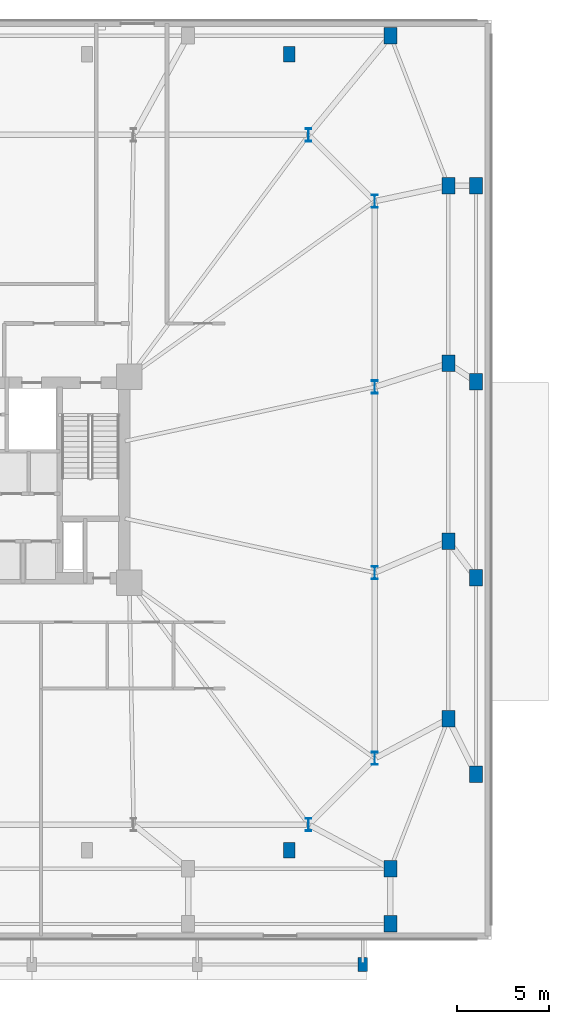
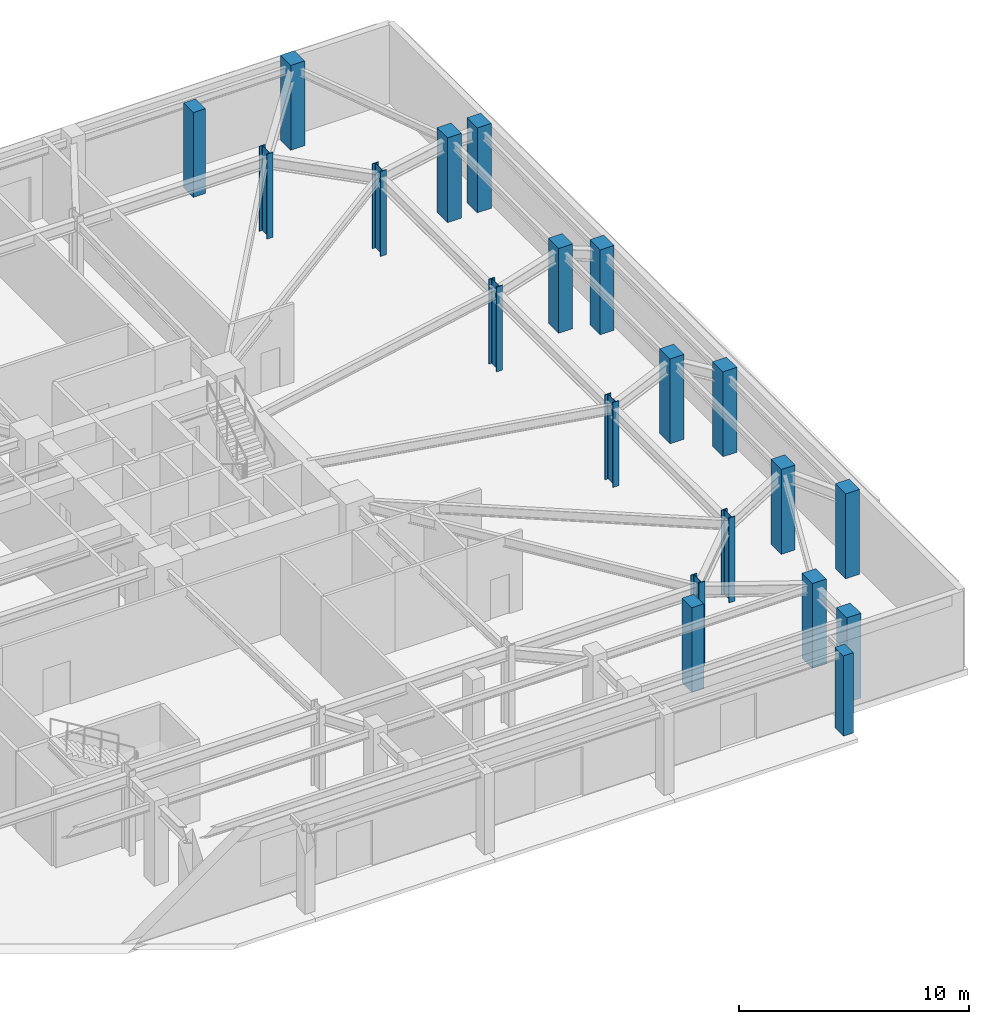
# One storey, part 4 of 18: 20 columns.
"""IFC4 building model written with IfcOpenShell, lengths in metres."""

from ifc_helpers import new_model, si_unit, direction, frame, origin, origin_2d, place, context, subcontext, project, spatial, rectangle, i_section, extrude, material, material_profile, profile_set, type_object, element, save


model = new_model("IFC4")

# Units and contexts
model_context = context("Model", 3, precision=1e-05, world=origin(), true_north=direction((0.0, 1.0)))
body_context = subcontext(model_context, "Body", "Model", "MODEL_VIEW")
ifc_project = project(units=[si_unit("LENGTHUNIT", "METRE"), si_unit("AREAUNIT", "SQUARE_METRE"), si_unit("VOLUMEUNIT", "CUBIC_METRE"), si_unit("PLANEANGLEUNIT", "RADIAN"), si_unit("MASSUNIT", "GRAM", prefix="KILO")], contexts=[model_context])

# Site, building, storey
site_placement = place(None, origin())
site = spatial("IfcSite", under=ifc_project, at=site_placement, CompositionType="ELEMENT")
building_placement = place(site_placement, origin())
building = spatial("IfcBuilding", under=site, at=building_placement, Name="Qobustan Lattice House", CompositionType="ELEMENT")
storey_placement = place(building_placement, origin())
storey = spatial("IfcBuildingStorey", under=building, at=storey_placement, Name="L00", CompositionType="ELEMENT", Elevation=0.0)

# Columns
ifc_material_1 = material(Name="Concrete C50/60", Category="concrete")
ifc_material_profile_1 = material_profile(ifc_material_1, rectangle(XDim=0.5, YDim=0.75, at=origin_2d()), Name="RC500x750")
ifc_profile_set_1 = profile_set([ifc_material_profile_1], Name="Concrete C50/60")
column_type_1 = type_object("IfcColumnType", Name="COL-PIER-500x750", PredefinedType="USERDEFINED", material=ifc_profile_set_1)
column_placement = place(storey_placement, frame((31.5, -26.35009765625, 0.0), z_axis=(0.0, 0.0, 1.0), x_axis=(1.0, 0.0, 0.0)))
element("IfcColumn", 1, at=column_placement, inside=storey, type_object=column_type_1, Name="L00 entrance canopy pier PR-08", ObjectType="PIER", PredefinedType="USERDEFINED", context=body_context, shape_type="SweptSolid", body=[
    extrude(rectangle(XDim=0.5, YDim=0.75, at=origin_2d()), origin(), (0.0, 0.0, 1.0), 4.260009765625),
])
ifc_material_2 = material(Name="Concrete C50/60", Category="concrete")
ifc_material_profile_2 = material_profile(ifc_material_2, rectangle(XDim=0.60009765625, YDim=0.85009765625, at=origin_2d()), Name="RC600x850")
ifc_profile_set_2 = profile_set([ifc_material_profile_2], Name="Concrete C50/60")
column_type_2 = type_object("IfcColumnType", Name="COL-PIL-600x850", PredefinedType="PILASTER", material=ifc_profile_set_2)
for number, where, z_axis, x_axis, name in (
    (2, (27.5, -20.14990234375, 0.0), (0.0, 0.0, 1.0), (1.0, 0.0, 0.0), "L00 colonnade pilaster S4"),
    (3, (27.5, 23.14990234375, 0.0), (0.0, 0.0, 1.0), (1.0, 0.0, 0.0), "L00 colonnade pilaster N4"),
):
    element("IfcColumn", number, at=place(storey_placement, frame(where, z_axis=z_axis, x_axis=x_axis)), inside=storey, type_object=column_type_2, Name=name, PredefinedType="PILASTER", context=body_context, shape_type="SweptSolid", body=[
        extrude(rectangle(XDim=0.60009765625, YDim=0.85009765625, at=origin_2d()), origin(), (0.0, 0.0, 1.0), 4.5),
    ])
ifc_material_3 = material(Name="Concrete C50/60", Category="concrete")
ifc_material_profile_3 = material_profile(ifc_material_3, rectangle(XDim=0.699951171875, YDim=0.89990234375, at=origin_2d()), Name="RC700x900")
ifc_profile_set_3 = profile_set([ifc_material_profile_3], Name="Concrete C50/60")
column_type_3 = type_object("IfcColumnType", Name="COL-RC-700x900", PredefinedType="COLUMN", material=ifc_profile_set_3)
for number, where, z_axis, x_axis, name in (
    (4, (33.0, -21.14990234375, 0.0), (0.0, 0.0, 1.0), (1.0, 0.0, 0.0), "L00 podium column PS7"),
    (5, (33.0, 24.14990234375, 0.0), (0.0, 0.0, 1.0), (1.0, 0.0, 0.0), "L00 podium column PN7"),
    (6, (36.14990234375, -13.0, 0.0), (0.0, 0.0, 1.0), (1.0, 0.0, 0.0), "L00 podium column PE1"),
    (7, (36.14990234375, -3.333251953125, 0.0), (0.0, 0.0, 1.0), (1.0, 0.0, 0.0), "L00 podium column PE2"),
    (8, (36.14990234375, 6.33349609375, 0.0), (0.0, 0.0, 1.0), (1.0, 0.0, 0.0), "L00 podium column PE3"),
    (9, (36.14990234375, 16.0, 0.0), (0.0, 0.0, 1.0), (1.0, 0.0, 0.0), "L00 podium column PE4"),
    (10, (33.0, -24.14990234375, 0.0), (0.0, 0.0, 1.0), (1.0, 0.0, 0.0), "L00 lower podium perimeter column PSL7"),
    (11, (37.64990234375, -16.0, 0.0), (0.0, 0.0, 1.0), (1.0, 0.0, 0.0), "L00 lower podium perimeter column PEL1"),
    (12, (37.64990234375, -5.333251953125, 0.0), (0.0, 0.0, 1.0), (1.0, 0.0, 0.0), "L00 lower podium perimeter column PEL2"),
    (13, (37.64990234375, 5.33349609375, 0.0), (0.0, 0.0, 1.0), (1.0, 0.0, 0.0), "L00 lower podium perimeter column PEL3"),
    (14, (37.64990234375, 16.0, 0.0), (0.0, 0.0, 1.0), (1.0, 0.0, 0.0), "L00 lower podium perimeter column PEL4"),
):
    element("IfcColumn", number, at=place(storey_placement, frame(where, z_axis=z_axis, x_axis=x_axis)), inside=storey, type_object=column_type_3, Name=name, PredefinedType="COLUMN", context=body_context, shape_type="SweptSolid", body=[
        extrude(rectangle(XDim=0.699951171875, YDim=0.89990234375, at=origin_2d()), origin(), (0.0, 0.0, 1.0), 4.5),
    ])
ifc_material_4 = material(Name="Steel S460", Category="steel")
ifc_material_profile_4 = material_profile(ifc_material_4, i_section(OverallWidth=0.303955078125, OverallDepth=0.716064453125, WebThickness=0.02099609375, FlangeThickness=0.0400390625, FilletRadius=0.027099609375, at=origin_2d()), Name="HEM700")
ifc_profile_set_4 = profile_set([ifc_material_profile_4], Name="Steel S460")
column_type_4 = type_object("IfcColumnType", Name="COL-ST-HEM700", PredefinedType="COLUMN", material=ifc_profile_set_4)
for number, where, z_axis, x_axis, name in (
    (15, (28.550048828125, -18.75, 0.0), (0.0, 0.0, 1.0), (1.0, 0.0, 0.0), "L00 tower base column S7"),
    (16, (28.550048828125, 18.75, 0.0), (0.0, 0.0, 1.0), (1.0, 0.0, 0.0), "L00 tower base column N1"),
    (17, (32.14990234375, -15.14990234375, 0.0), (0.0, 0.0, 1.0), (1.0, 0.0, 0.0), "L00 tower base column E1"),
    (18, (32.14990234375, -5.050048828125, 0.0), (0.0, 0.0, 1.0), (1.0, 0.0, 0.0), "L00 tower base column E2"),
    (19, (32.14990234375, 5.050048828125, 0.0), (0.0, 0.0, 1.0), (1.0, 0.0, 0.0), "L00 tower base column E3"),
    (20, (32.14990234375, 15.14990234375, 0.0), (0.0, 0.0, 1.0), (1.0, 0.0, 0.0), "L00 tower base column E4"),
):
    element("IfcColumn", number, at=place(storey_placement, frame(where, z_axis=z_axis, x_axis=x_axis)), inside=storey, type_object=column_type_4, Name=name, PredefinedType="COLUMN", context=body_context, shape_type="SweptSolid", body=[
        extrude(i_section(OverallWidth=0.303955078125, OverallDepth=0.716064453125, WebThickness=0.02099609375, FlangeThickness=0.0400390625, FilletRadius=0.027099609375, at=origin_2d()), origin(), (0.0, 0.0, 1.0), 4.5),
    ])

save(model, "model.ifc")
